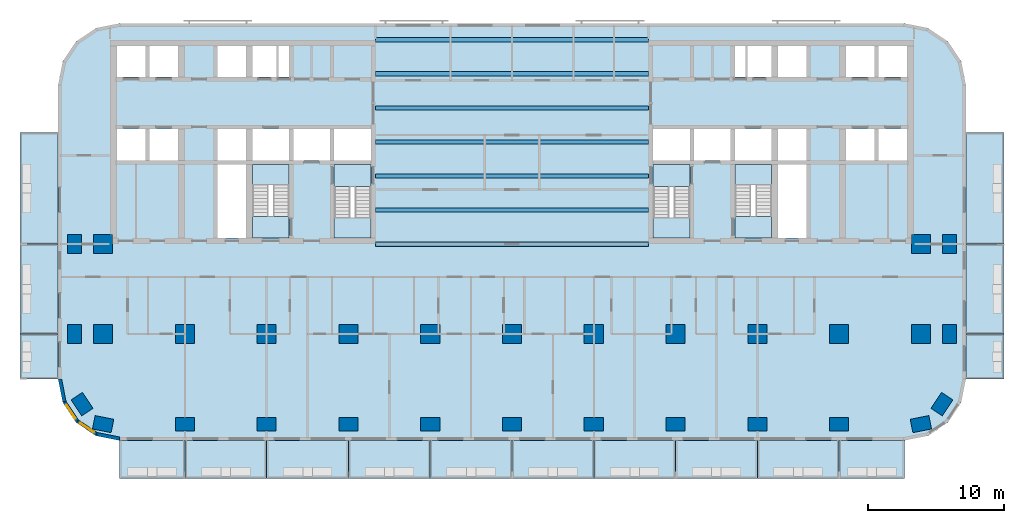
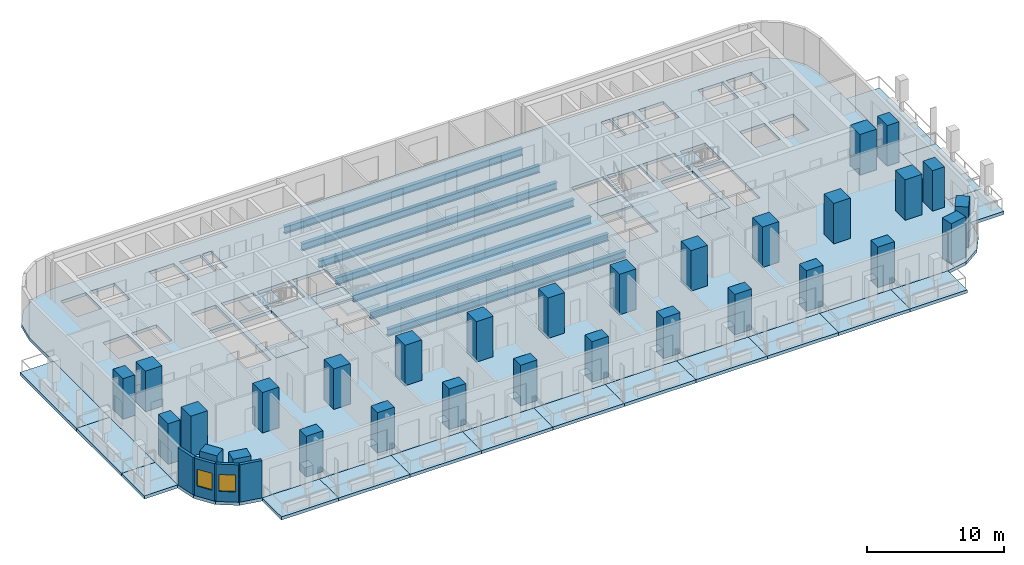
# One storey, part 1 of 13: 30 columns, 25 slabs, 7 beams, 4 walls, 2 windows, 2 openings, 4 elements without a shape of their own.
"""IFC4 building model written with IfcOpenShell, lengths in metres."""

from ifc_helpers import new_model, si_unit, direction, frame, frame_2d, origin, origin_2d, place, context, subcontext, project, spatial, polyline, rectangle, i_section, outline, extrude, material, layer, layer_set, material_profile, profile_set, type_object, element, fill, aggregate, save


model = new_model("IFC4")

# Units and contexts
model_context = context("Model", 3, precision=1e-05, world=origin(), true_north=direction((0.0, 1.0)))
body_context = subcontext(model_context, "Body", "Model", "MODEL_VIEW")
ifc_project = project(units=[si_unit("LENGTHUNIT", "METRE"), si_unit("AREAUNIT", "SQUARE_METRE"), si_unit("VOLUMEUNIT", "CUBIC_METRE"), si_unit("PLANEANGLEUNIT", "RADIAN"), si_unit("MASSUNIT", "GRAM", prefix="KILO")], contexts=[model_context])

# Site, building, storey
site_placement = place(None, origin())
site = spatial("IfcSite", under=ifc_project, at=site_placement, CompositionType="ELEMENT")
building_placement = place(site_placement, origin())
building = spatial("IfcBuilding", under=site, at=building_placement, Name="Torana Hotel and Residences", CompositionType="ELEMENT")
storey_placement = place(building_placement, frame((0.0, 0.0, 78.0)))
storey = spatial("IfcBuildingStorey", under=building, at=storey_placement, Name="L19", CompositionType="ELEMENT", Elevation=78.0)

# Columns
ifc_material_1 = material(Name="Concrete C70/85", Category="concrete")
ifc_material_profile_1 = material_profile(ifc_material_1, rectangle(XDim=1.39990234375, YDim=1.0, at=origin_2d()), Name="RC 1400x1000")
ifc_profile_set_1 = profile_set([ifc_material_profile_1], Name="Concrete C70/85")
column_type_1 = type_object("IfcColumnType", Name="COLUMN RC 1400x1000 C70/85", PredefinedType="COLUMN", material=ifc_profile_set_1)
for number, where, z_axis, x_axis, name in (
    (1, (-32.10009765625, -21.60009765625, 0.0), (0.0, 0.0, 1.0), (0.0, 1.0, 0.0), "Column L19"),
    (2, (-32.10009765625, -15.0, 0.0), (0.0, 0.0, 1.0), (0.0, 1.0, 0.0), "Column L19"),
    (3, (-31.5439453125, -26.73291015625, 0.0), (0.0, 0.0, 1.0), (-0.555584744817, 0.831459915646, 0.0), "Column L19"),
    (4, (-30.0, -28.199951171875, 0.0), (0.0, 0.0, 1.0), (-0.980792089743, 0.195056086032, 0.0), "Column L19"),
    (5, (-24.0, -28.199951171875, 0.0), (0.0, 0.0, 1.0), (1.0, 0.0, 0.0), "Column L19"),
    (6, (-18.0, -28.199951171875, 0.0), (0.0, 0.0, 1.0), (1.0, 0.0, 0.0), "Column L19"),
    (7, (-12.0, -28.199951171875, 0.0), (0.0, 0.0, 1.0), (1.0, 0.0, 0.0), "Column L19"),
    (8, (-6.0, -28.199951171875, 0.0), (0.0, 0.0, 1.0), (1.0, 0.0, 0.0), "Column L19"),
    (9, (0.0, -28.199951171875, 0.0), (0.0, 0.0, 1.0), (1.0, 0.0, 0.0), "Column L19"),
    (10, (6.0, -28.199951171875, 0.0), (0.0, 0.0, 1.0), (1.0, 0.0, 0.0), "Column L19"),
    (11, (12.0, -28.199951171875, 0.0), (0.0, 0.0, 1.0), (1.0, 0.0, 0.0), "Column L19"),
    (12, (18.0, -28.199951171875, 0.0), (0.0, 0.0, 1.0), (1.0, 0.0, 0.0), "Column L19"),
    (13, (24.0, -28.199951171875, 0.0), (0.0, 0.0, 1.0), (1.0, 0.0, 0.0), "Column L19"),
    (14, (30.0, -28.199951171875, 0.0), (0.0, 0.0, 1.0), (0.980792089743, 0.195056086032, 0.0), "Column L19"),
    (15, (31.5439453125, -26.73291015625, 0.0), (0.0, 0.0, 1.0), (0.555584744817, 0.831459915646, 0.0), "Column L19"),
    (16, (32.10009765625, -21.60009765625, 0.0), (0.0, 0.0, 1.0), (0.0, 1.0, 0.0), "Column L19"),
    (17, (32.10009765625, -15.0, 0.0), (0.0, 0.0, 1.0), (0.0, 1.0, 0.0), "Column L19"),
):
    element("IfcColumn", number, at=place(storey_placement, frame(where, z_axis=z_axis, x_axis=x_axis)), inside=storey, type_object=column_type_1, Name=name, PredefinedType="COLUMN", context=body_context, shape_type="SweptSolid", body=[
        extrude(rectangle(XDim=1.39990234375, YDim=1.0, at=origin_2d()), origin(), (0.0, 0.0, 1.0), 3.60009765625),
    ])
ifc_material_2 = material(Name="Concrete C70/85", Category="concrete")
ifc_material_profile_2 = material_profile(ifc_material_2, rectangle(XDim=1.39990234375, YDim=1.39990234375, at=origin_2d()), Name="RC 1400x1400")
ifc_profile_set_2 = profile_set([ifc_material_profile_2], Name="Concrete C70/85")
column_type_2 = type_object("IfcColumnType", Name="COLUMN RC 1400x1400 C70/85", PredefinedType="COLUMN", material=ifc_profile_set_2)
for number, where, z_axis, x_axis, name in (
    (18, (-30.0, -21.60009765625, 0.0), (0.0, 0.0, 1.0), (1.0, 0.0, 0.0), "Column L19"),
    (19, (-30.0, -15.0, 0.0), (0.0, 0.0, 1.0), (1.0, 0.0, 0.0), "Column L19"),
    (20, (-24.0, -21.60009765625, 0.0), (0.0, 0.0, 1.0), (1.0, 0.0, 0.0), "Column L19"),
    (21, (-18.0, -21.60009765625, 0.0), (0.0, 0.0, 1.0), (1.0, 0.0, 0.0), "Column L19"),
    (22, (-12.0, -21.60009765625, 0.0), (0.0, 0.0, 1.0), (1.0, 0.0, 0.0), "Column L19"),
    (23, (-6.0, -21.60009765625, 0.0), (0.0, 0.0, 1.0), (1.0, 0.0, 0.0), "Column L19"),
    (24, (0.0, -21.60009765625, 0.0), (0.0, 0.0, 1.0), (1.0, 0.0, 0.0), "Column L19"),
    (25, (6.0, -21.60009765625, 0.0), (0.0, 0.0, 1.0), (1.0, 0.0, 0.0), "Column L19"),
    (26, (12.0, -21.60009765625, 0.0), (0.0, 0.0, 1.0), (1.0, 0.0, 0.0), "Column L19"),
    (27, (18.0, -21.60009765625, 0.0), (0.0, 0.0, 1.0), (1.0, 0.0, 0.0), "Column L19"),
    (28, (24.0, -21.60009765625, 0.0), (0.0, 0.0, 1.0), (1.0, 0.0, 0.0), "Column L19"),
    (29, (30.0, -21.60009765625, 0.0), (0.0, 0.0, 1.0), (1.0, 0.0, 0.0), "Column L19"),
    (30, (30.0, -15.0, 0.0), (0.0, 0.0, 1.0), (1.0, 0.0, 0.0), "Column L19"),
):
    element("IfcColumn", number, at=place(storey_placement, frame(where, z_axis=z_axis, x_axis=x_axis)), inside=storey, type_object=column_type_2, Name=name, PredefinedType="COLUMN", context=body_context, shape_type="SweptSolid", body=[
        extrude(rectangle(XDim=1.39990234375, YDim=1.39990234375, at=origin_2d()), origin(), (0.0, 0.0, 1.0), 3.60009765625),
    ])

# Beams
ifc_material_3 = material(Name="Steel S355", Category="steel")
ifc_material_profile_3 = material_profile(ifc_material_3, i_section(OverallWidth=0.311279296875, OverallDepth=0.6357421875, WebThickness=0.018310546875, FlangeThickness=0.031494140625, FilletRadius=0.0166015625, at=origin_2d()), Name="610x305x238 UB")
ifc_profile_set_3 = profile_set([ifc_material_profile_3], Name="Steel S355")
beam_type = type_object("IfcBeamType", Name="STEEL GIRDER 610x305x238 UB", PredefinedType="BEAM", material=ifc_profile_set_3)
for number, where, z_axis, x_axis, name in (
    (31, (-10.0, -15.0, -0.597900390625), (1.0, 0.0, 0.0), (0.0, 1.0, 0.0), "Floor girder"),
    (32, (-10.0, -12.5, -0.597900390625), (1.0, 0.0, 0.0), (0.0, 1.0, 0.0), "Floor girder"),
    (33, (-10.0, -10.0, -0.597900390625), (1.0, 0.0, 0.0), (0.0, 1.0, 0.0), "Floor girder"),
    (34, (-10.0, -7.5, -0.597900390625), (1.0, 0.0, 0.0), (0.0, 1.0, 0.0), "Floor girder"),
    (35, (-10.0, -5.0, -0.597900390625), (1.0, 0.0, 0.0), (0.0, 1.0, 0.0), "Floor girder"),
    (36, (-10.0, -2.5, -0.597900390625), (1.0, 0.0, 0.0), (0.0, 1.0, 0.0), "Floor girder"),
    (37, (-10.0, 0.0, -0.597900390625), (1.0, 0.0, 0.0), (0.0, 1.0, 0.0), "Floor girder"),
):
    element("IfcBeam", number, at=place(storey_placement, frame(where, z_axis=z_axis, x_axis=x_axis)), inside=storey, type_object=beam_type, Name=name, PredefinedType="BEAM", context=body_context, shape_type="SweptSolid", body=[
        extrude(i_section(OverallWidth=0.311279296875, OverallDepth=0.6357421875, WebThickness=0.018310546875, FlangeThickness=0.031494140625, FilletRadius=0.0166015625, at=origin_2d()), origin(), (0.0, 0.0, 1.0), 20.0),
    ])

# Slabs
ifc_material_4 = material(Name="Concrete C40/50", Category="concrete")
ifc_layer_1 = layer(ifc_material_4, 0.280029296875)
ifc_layer_set_1 = layer_set([ifc_layer_1], Name="BAL1 BALCONY SLAB 280")
slab_type_1 = type_object("IfcSlabType", Name="BAL1 BALCONY SLAB 280", PredefinedType="USERDEFINED", material=ifc_layer_set_1)
slab_1_placement = place(storey_placement, frame((0.0, 0.0, -0.280029296875)))
element("IfcSlab", 38, at=slab_1_placement, inside=storey, type_object=slab_type_1, Name="Balcony 01", ObjectType="BALCONY", PredefinedType="USERDEFINED", context=body_context, shape_type="SweptSolid", body=[
    extrude(outline(polyline([(-28.800048828125, -32.199951171875), (-24.0, -32.199951171875), (-24.0, -29.39990234375), (-28.800048828125, -29.39990234375), (-28.800048828125, -32.199951171875)])), origin(), (0.0, 0.0, 1.0), 0.280029296875),
])
slab_2_placement = place(storey_placement, frame((0.0, 0.0, -0.280029296875)))
element("IfcSlab", 39, at=slab_2_placement, inside=storey, type_object=slab_type_1, Name="Balcony 02", ObjectType="BALCONY", PredefinedType="USERDEFINED", context=body_context, shape_type="SweptSolid", body=[
    extrude(outline(polyline([(-24.0, -32.199951171875), (-18.0, -32.199951171875), (-18.0, -29.39990234375), (-24.0, -29.39990234375), (-24.0, -32.199951171875)])), origin(), (0.0, 0.0, 1.0), 0.280029296875),
])
slab_3_placement = place(storey_placement, frame((0.0, 0.0, -0.280029296875)))
element("IfcSlab", 40, at=slab_3_placement, inside=storey, type_object=slab_type_1, Name="Balcony 03", ObjectType="BALCONY", PredefinedType="USERDEFINED", context=body_context, shape_type="SweptSolid", body=[
    extrude(outline(polyline([(-18.0, -32.199951171875), (-12.0, -32.199951171875), (-12.0, -29.39990234375), (-18.0, -29.39990234375), (-18.0, -32.199951171875)])), origin(), (0.0, 0.0, 1.0), 0.280029296875),
])
slab_4_placement = place(storey_placement, frame((0.0, 0.0, -0.280029296875)))
element("IfcSlab", 41, at=slab_4_placement, inside=storey, type_object=slab_type_1, Name="Balcony 04", ObjectType="BALCONY", PredefinedType="USERDEFINED", context=body_context, shape_type="SweptSolid", body=[
    extrude(outline(polyline([(-12.0, -32.199951171875), (-6.0, -32.199951171875), (-6.0, -29.39990234375), (-12.0, -29.39990234375), (-12.0, -32.199951171875)])), origin(), (0.0, 0.0, 1.0), 0.280029296875),
])
slab_5_placement = place(storey_placement, frame((0.0, 0.0, -0.280029296875)))
element("IfcSlab", 42, at=slab_5_placement, inside=storey, type_object=slab_type_1, Name="Balcony 05", ObjectType="BALCONY", PredefinedType="USERDEFINED", context=body_context, shape_type="SweptSolid", body=[
    extrude(outline(polyline([(-6.0, -32.199951171875), (0.0, -32.199951171875), (0.0, -29.39990234375), (-6.0, -29.39990234375), (-6.0, -32.199951171875)])), origin(), (0.0, 0.0, 1.0), 0.280029296875),
])
slab_6_placement = place(storey_placement, frame((0.0, 0.0, -0.280029296875)))
element("IfcSlab", 43, at=slab_6_placement, inside=storey, type_object=slab_type_1, Name="Balcony 06", ObjectType="BALCONY", PredefinedType="USERDEFINED", context=body_context, shape_type="SweptSolid", body=[
    extrude(outline(polyline([(0.0, -32.199951171875), (6.0, -32.199951171875), (6.0, -29.39990234375), (0.0, -29.39990234375), (0.0, -32.199951171875)])), origin(), (0.0, 0.0, 1.0), 0.280029296875),
])
slab_7_placement = place(storey_placement, frame((0.0, 0.0, -0.280029296875)))
element("IfcSlab", 44, at=slab_7_placement, inside=storey, type_object=slab_type_1, Name="Balcony 07", ObjectType="BALCONY", PredefinedType="USERDEFINED", context=body_context, shape_type="SweptSolid", body=[
    extrude(outline(polyline([(6.0, -32.199951171875), (12.0, -32.199951171875), (12.0, -29.39990234375), (6.0, -29.39990234375), (6.0, -32.199951171875)])), origin(), (0.0, 0.0, 1.0), 0.280029296875),
])
slab_8_placement = place(storey_placement, frame((0.0, 0.0, -0.280029296875)))
element("IfcSlab", 45, at=slab_8_placement, inside=storey, type_object=slab_type_1, Name="Balcony 08", ObjectType="BALCONY", PredefinedType="USERDEFINED", context=body_context, shape_type="SweptSolid", body=[
    extrude(outline(polyline([(12.0, -32.199951171875), (18.0, -32.199951171875), (18.0, -29.39990234375), (12.0, -29.39990234375), (12.0, -32.199951171875)])), origin(), (0.0, 0.0, 1.0), 0.280029296875),
])
slab_9_placement = place(storey_placement, frame((0.0, 0.0, -0.280029296875)))
element("IfcSlab", 46, at=slab_9_placement, inside=storey, type_object=slab_type_1, Name="Balcony 09", ObjectType="BALCONY", PredefinedType="USERDEFINED", context=body_context, shape_type="SweptSolid", body=[
    extrude(outline(polyline([(18.0, -32.199951171875), (24.0, -32.199951171875), (24.0, -29.39990234375), (18.0, -29.39990234375), (18.0, -32.199951171875)])), origin(), (0.0, 0.0, 1.0), 0.280029296875),
])
slab_10_placement = place(storey_placement, frame((0.0, 0.0, -0.280029296875)))
element("IfcSlab", 47, at=slab_10_placement, inside=storey, type_object=slab_type_1, Name="Balcony 10", ObjectType="BALCONY", PredefinedType="USERDEFINED", context=body_context, shape_type="SweptSolid", body=[
    extrude(outline(polyline([(24.0, -32.199951171875), (28.800048828125, -32.199951171875), (28.800048828125, -29.39990234375), (24.0, -29.39990234375), (24.0, -32.199951171875)])), origin(), (0.0, 0.0, 1.0), 0.280029296875),
])
slab_11_placement = place(storey_placement, frame((0.0, 0.0, -0.280029296875)))
element("IfcSlab", 48, at=slab_11_placement, inside=storey, type_object=slab_type_1, Name="Balcony 11", ObjectType="BALCONY", PredefinedType="USERDEFINED", context=body_context, shape_type="SweptSolid", body=[
    extrude(outline(polyline([(-36.10009765625, -24.89990234375), (-33.300048828125, -24.89990234375), (-33.300048828125, -21.60009765625), (-36.10009765625, -21.60009765625), (-36.10009765625, -24.89990234375)])), origin(), (0.0, 0.0, 1.0), 0.280029296875),
])
slab_12_placement = place(storey_placement, frame((0.0, 0.0, -0.280029296875)))
element("IfcSlab", 49, at=slab_12_placement, inside=storey, type_object=slab_type_1, Name="Balcony 12", ObjectType="BALCONY", PredefinedType="USERDEFINED", context=body_context, shape_type="SweptSolid", body=[
    extrude(outline(polyline([(-36.10009765625, -21.60009765625), (-33.300048828125, -21.60009765625), (-33.300048828125, -15.0), (-36.10009765625, -15.0), (-36.10009765625, -21.60009765625)])), origin(), (0.0, 0.0, 1.0), 0.280029296875),
])
slab_13_placement = place(storey_placement, frame((0.0, 0.0, -0.280029296875)))
element("IfcSlab", 50, at=slab_13_placement, inside=storey, type_object=slab_type_1, Name="Balcony 13", ObjectType="BALCONY", PredefinedType="USERDEFINED", context=body_context, shape_type="SweptSolid", body=[
    extrude(outline(polyline([(-36.10009765625, -15.0), (-33.300048828125, -15.0), (-33.300048828125, -6.800048828125), (-36.10009765625, -6.800048828125), (-36.10009765625, -15.0)])), origin(), (0.0, 0.0, 1.0), 0.280029296875),
])
slab_14_placement = place(storey_placement, frame((0.0, 0.0, -0.280029296875)))
element("IfcSlab", 51, at=slab_14_placement, inside=storey, type_object=slab_type_1, Name="Balcony 14", ObjectType="BALCONY", PredefinedType="USERDEFINED", context=body_context, shape_type="SweptSolid", body=[
    extrude(outline(polyline([(33.300048828125, -24.89990234375), (36.10009765625, -24.89990234375), (36.10009765625, -21.60009765625), (33.300048828125, -21.60009765625), (33.300048828125, -24.89990234375)])), origin(), (0.0, 0.0, 1.0), 0.280029296875),
])
slab_15_placement = place(storey_placement, frame((0.0, 0.0, -0.280029296875)))
element("IfcSlab", 52, at=slab_15_placement, inside=storey, type_object=slab_type_1, Name="Balcony 15", ObjectType="BALCONY", PredefinedType="USERDEFINED", context=body_context, shape_type="SweptSolid", body=[
    extrude(outline(polyline([(33.300048828125, -21.60009765625), (36.10009765625, -21.60009765625), (36.10009765625, -15.0), (33.300048828125, -15.0), (33.300048828125, -21.60009765625)])), origin(), (0.0, 0.0, 1.0), 0.280029296875),
])
slab_16_placement = place(storey_placement, frame((0.0, 0.0, -0.280029296875)))
element("IfcSlab", 53, at=slab_16_placement, inside=storey, type_object=slab_type_1, Name="Balcony 16", ObjectType="BALCONY", PredefinedType="USERDEFINED", context=body_context, shape_type="SweptSolid", body=[
    extrude(outline(polyline([(33.300048828125, -15.0), (36.10009765625, -15.0), (36.10009765625, -6.800048828125), (33.300048828125, -6.800048828125), (33.300048828125, -15.0)])), origin(), (0.0, 0.0, 1.0), 0.280029296875),
])
ifc_material_5 = material(Name="Concrete C40/50", Category="concrete")
ifc_layer_2 = layer(ifc_material_5, 0.280029296875)
ifc_layer_set_2 = layer_set([ifc_layer_2], Name="FLOOR SLAB PT 280")
slab_type_2 = type_object("IfcSlabType", Name="FLOOR SLAB PT 280", PredefinedType="FLOOR", material=ifc_layer_set_2)
slab_17_placement = place(storey_placement, frame((0.0, 0.0, -0.280029296875)))
element("IfcSlab", 54, at=slab_17_placement, inside=storey, type_object=slab_type_2, Name="Floor slab", PredefinedType="FLOOR", context=body_context, shape_type="SweptSolid", body=[
    extrude(outline(polyline([(33.300048828125, -3.300048828125), (32.95751953125, -1.577880859375), (31.98193359375, -0.117919921875), (30.522216796875, 0.857421875), (28.800048828125, 1.199951171875), (-28.800048828125, 1.199951171875), (-30.522216796875, 0.857421875), (-31.98193359375, -0.117919921875), (-32.95751953125, -1.577880859375), (-33.300048828125, -3.300048828125), (-33.300048828125, -24.89990234375), (-32.95751953125, -26.6220703125), (-31.98193359375, -28.08203125), (-30.522216796875, -29.0576171875), (-28.800048828125, -29.39990234375), (28.800048828125, -29.39990234375), (30.522216796875, -29.0576171875), (31.98193359375, -28.08203125), (32.95751953125, -26.6220703125), (33.300048828125, -24.89990234375), (33.300048828125, -3.300048828125)]), holes=[polyline([(-13.050048828125, -14.550048828125), (-10.35009765625, -14.550048828125), (-10.35009765625, -9.14990234375), (-13.050048828125, -9.14990234375), (-13.050048828125, -14.550048828125)]), polyline([(-19.050048828125, -14.550048828125), (-16.35009765625, -14.550048828125), (-16.35009765625, -9.14990234375), (-19.050048828125, -9.14990234375), (-19.050048828125, -14.550048828125)]), polyline([(-17.125, -2.75), (-16.35009765625, -2.75), (-16.35009765625, -0.449951171875), (-17.125, -0.449951171875), (-17.125, -2.75)]), polyline([(-19.050048828125, -2.75), (-17.27490234375, -2.75), (-17.27490234375, -0.449951171875), (-19.050048828125, -0.449951171875), (-19.050048828125, -2.75)]), polyline([(-26.60009765625, -2.75), (-24.5, -2.75), (-24.5, -0.449951171875), (-26.60009765625, -0.449951171875), (-26.60009765625, -2.75)]), polyline([(-29.0, -2.75), (-26.89990234375, -2.75), (-26.89990234375, -0.449951171875), (-29.0, -0.449951171875), (-29.0, -2.75)]), polyline([(-26.60009765625, -8.85009765625), (-24.5, -8.85009765625), (-24.5, -6.550048828125), (-26.60009765625, -6.550048828125), (-26.60009765625, -8.85009765625)]), polyline([(-29.0, -8.85009765625), (-26.89990234375, -8.85009765625), (-26.89990234375, -6.550048828125), (-29.0, -6.550048828125), (-29.0, -8.85009765625)]), polyline([(-21.60009765625, -2.75), (-19.5, -2.75), (-19.5, -0.449951171875), (-21.60009765625, -0.449951171875), (-21.60009765625, -2.75)]), polyline([(-21.60009765625, -8.85009765625), (-19.5, -8.85009765625), (-19.5, -6.550048828125), (-21.60009765625, -6.550048828125), (-21.60009765625, -8.85009765625)]), polyline([(-13.050048828125, -8.85009765625), (-10.35009765625, -8.85009765625), (-10.35009765625, -6.550048828125), (-13.050048828125, -6.550048828125), (-13.050048828125, -8.85009765625)]), polyline([(-16.050048828125, -8.85009765625), (-13.35009765625, -8.85009765625), (-13.35009765625, -6.550048828125), (-16.050048828125, -6.550048828125), (-16.050048828125, -8.85009765625)]), polyline([(-19.050048828125, -8.85009765625), (-16.35009765625, -8.85009765625), (-16.35009765625, -6.550048828125), (-19.050048828125, -6.550048828125), (-19.050048828125, -8.85009765625)]), polyline([(-21.60009765625, -14.550048828125), (-19.5, -14.550048828125), (-19.5, -9.14990234375), (-21.60009765625, -9.14990234375), (-21.60009765625, -14.550048828125)]), polyline([(10.35009765625, -14.550048828125), (13.050048828125, -14.550048828125), (13.050048828125, -9.14990234375), (10.35009765625, -9.14990234375), (10.35009765625, -14.550048828125)]), polyline([(16.35009765625, -14.550048828125), (19.050048828125, -14.550048828125), (19.050048828125, -9.14990234375), (16.35009765625, -9.14990234375), (16.35009765625, -14.550048828125)]), polyline([(16.35009765625, -2.75), (17.125, -2.75), (17.125, -0.449951171875), (16.35009765625, -0.449951171875), (16.35009765625, -2.75)]), polyline([(17.27490234375, -2.75), (19.050048828125, -2.75), (19.050048828125, -0.449951171875), (17.27490234375, -0.449951171875), (17.27490234375, -2.75)]), polyline([(24.5, -2.75), (26.60009765625, -2.75), (26.60009765625, -0.449951171875), (24.5, -0.449951171875), (24.5, -2.75)]), polyline([(26.89990234375, -2.75), (29.0, -2.75), (29.0, -0.449951171875), (26.89990234375, -0.449951171875), (26.89990234375, -2.75)]), polyline([(24.5, -8.85009765625), (26.60009765625, -8.85009765625), (26.60009765625, -6.550048828125), (24.5, -6.550048828125), (24.5, -8.85009765625)]), polyline([(26.89990234375, -8.85009765625), (29.0, -8.85009765625), (29.0, -6.550048828125), (26.89990234375, -6.550048828125), (26.89990234375, -8.85009765625)]), polyline([(19.5, -2.75), (21.60009765625, -2.75), (21.60009765625, -0.449951171875), (19.5, -0.449951171875), (19.5, -2.75)]), polyline([(19.5, -8.85009765625), (21.60009765625, -8.85009765625), (21.60009765625, -6.550048828125), (19.5, -6.550048828125), (19.5, -8.85009765625)]), polyline([(10.35009765625, -8.85009765625), (13.050048828125, -8.85009765625), (13.050048828125, -6.550048828125), (10.35009765625, -6.550048828125), (10.35009765625, -8.85009765625)]), polyline([(13.35009765625, -8.85009765625), (16.050048828125, -8.85009765625), (16.050048828125, -6.550048828125), (13.35009765625, -6.550048828125), (13.35009765625, -8.85009765625)]), polyline([(16.35009765625, -8.85009765625), (19.050048828125, -8.85009765625), (19.050048828125, -6.550048828125), (16.35009765625, -6.550048828125), (16.35009765625, -8.85009765625)]), polyline([(19.5, -14.550048828125), (21.60009765625, -14.550048828125), (21.60009765625, -9.14990234375), (19.5, -9.14990234375), (19.5, -14.550048828125)])]), origin(), (0.0, 0.0, 1.0), 0.280029296875),
])

# Stair, slabs
ifc_material_6 = material(Name="Concrete C40/50 precast", Category="concrete")
stair_type_1 = type_object("IfcStairType", Name="STAIR ST1 HALF TURN 1200", PredefinedType="HALF_TURN_STAIR", material=ifc_material_6)
stair_1_placement = place(storey_placement, origin())
stair_1 = element("IfcStair", 55, at=stair_1_placement, inside=storey, type_object=stair_type_1, Name="Stair ST1 L19", PredefinedType="HALF_TURN_STAIR")
ifc_material_7 = material(Name="Concrete C40/50 precast", Category="concrete")
ifc_layer_3 = layer(ifc_material_7, 0.199951171875)
ifc_layer_set_3 = layer_set([ifc_layer_3], Name="STAIR LANDING 200")
slab_type_3 = type_object("IfcSlabType", Name="STAIR LANDING 200", PredefinedType="LANDING", material=ifc_layer_set_3)
slab_18_placement = place(storey_placement, frame((0.0, 0.0, 1.60009765625)))
slab_18 = element("IfcSlab", 56, at=slab_18_placement, type_object=slab_type_3, Name="ST1 landing 1", PredefinedType="LANDING", context=body_context, shape_type="SweptSolid", body=[
    extrude(outline(polyline([(-13.050048828125, -14.550048828125), (-10.35009765625, -14.550048828125), (-10.35009765625, -13.090087890625), (-13.050048828125, -13.090087890625), (-13.050048828125, -14.550048828125)])), origin(), (0.0, 0.0, 1.0), 0.199951171875),
])
slab_19_placement = place(storey_placement, frame((0.0, 0.0, -0.199951171875)))
slab_19 = element("IfcSlab", 57, at=slab_19_placement, type_object=slab_type_3, Name="ST1 landing 2", PredefinedType="LANDING", context=body_context, shape_type="SweptSolid", body=[
    extrude(outline(polyline([(-13.050048828125, -10.75), (-10.35009765625, -10.75), (-10.35009765625, -9.14990234375), (-13.050048828125, -9.14990234375), (-13.050048828125, -10.75)])), origin(), (0.0, 0.0, 1.0), 0.199951171875),
])
aggregate(stair_1, [slab_18, slab_19])

ifc_material_8 = material(Name="Concrete C40/50 precast", Category="concrete")
stair_type_2 = type_object("IfcStairType", Name="STAIR ST2 HALF TURN 1200", PredefinedType="HALF_TURN_STAIR", material=ifc_material_8)
stair_2_placement = place(storey_placement, origin())
stair_2 = element("IfcStair", 58, at=stair_2_placement, inside=storey, type_object=stair_type_2, Name="Stair ST2 L19", PredefinedType="HALF_TURN_STAIR")
slab_20_placement = place(storey_placement, frame((0.0, 0.0, 1.60009765625)))
slab_20 = element("IfcSlab", 59, at=slab_20_placement, type_object=slab_type_3, Name="ST2 landing 1", PredefinedType="LANDING", context=body_context, shape_type="SweptSolid", body=[
    extrude(outline(polyline([(-19.050048828125, -10.610107421875), (-16.35009765625, -10.610107421875), (-16.35009765625, -9.14990234375), (-19.050048828125, -9.14990234375), (-19.050048828125, -10.610107421875)])), origin(), (0.0, 0.0, 1.0), 0.199951171875),
])
slab_21_placement = place(storey_placement, frame((0.0, 0.0, -0.199951171875)))
slab_21 = element("IfcSlab", 60, at=slab_21_placement, type_object=slab_type_3, Name="ST2 landing 2", PredefinedType="LANDING", context=body_context, shape_type="SweptSolid", body=[
    extrude(outline(polyline([(-19.050048828125, -14.550048828125), (-16.35009765625, -14.550048828125), (-16.35009765625, -12.949951171875), (-19.050048828125, -12.949951171875), (-19.050048828125, -14.550048828125)])), origin(), (0.0, 0.0, 1.0), 0.199951171875),
])
aggregate(stair_2, [slab_20, slab_21])

ifc_material_9 = material(Name="Concrete C40/50 precast", Category="concrete")
stair_type_3 = type_object("IfcStairType", Name="STAIR ST3 HALF TURN 1200", PredefinedType="HALF_TURN_STAIR", material=ifc_material_9)
stair_3_placement = place(storey_placement, origin())
stair_3 = element("IfcStair", 61, at=stair_3_placement, inside=storey, type_object=stair_type_3, Name="Stair ST3 L19", PredefinedType="HALF_TURN_STAIR")
slab_22_placement = place(storey_placement, frame((0.0, 0.0, 1.60009765625)))
slab_22 = element("IfcSlab", 62, at=slab_22_placement, type_object=slab_type_3, Name="ST3 landing 1", PredefinedType="LANDING", context=body_context, shape_type="SweptSolid", body=[
    extrude(outline(polyline([(10.35009765625, -14.550048828125), (13.050048828125, -14.550048828125), (13.050048828125, -13.090087890625), (10.35009765625, -13.090087890625), (10.35009765625, -14.550048828125)])), origin(), (0.0, 0.0, 1.0), 0.199951171875),
])
slab_23_placement = place(storey_placement, frame((0.0, 0.0, -0.199951171875)))
slab_23 = element("IfcSlab", 63, at=slab_23_placement, type_object=slab_type_3, Name="ST3 landing 2", PredefinedType="LANDING", context=body_context, shape_type="SweptSolid", body=[
    extrude(outline(polyline([(10.35009765625, -10.75), (13.050048828125, -10.75), (13.050048828125, -9.14990234375), (10.35009765625, -9.14990234375), (10.35009765625, -10.75)])), origin(), (0.0, 0.0, 1.0), 0.199951171875),
])
aggregate(stair_3, [slab_22, slab_23])

ifc_material_10 = material(Name="Concrete C40/50 precast", Category="concrete")
stair_type_4 = type_object("IfcStairType", Name="STAIR ST4 HALF TURN 1200", PredefinedType="HALF_TURN_STAIR", material=ifc_material_10)
stair_4_placement = place(storey_placement, origin())
stair_4 = element("IfcStair", 64, at=stair_4_placement, inside=storey, type_object=stair_type_4, Name="Stair ST4 L19", PredefinedType="HALF_TURN_STAIR")
slab_24_placement = place(storey_placement, frame((0.0, 0.0, 1.60009765625)))
slab_24 = element("IfcSlab", 65, at=slab_24_placement, type_object=slab_type_3, Name="ST4 landing 1", PredefinedType="LANDING", context=body_context, shape_type="SweptSolid", body=[
    extrude(outline(polyline([(16.35009765625, -10.610107421875), (19.050048828125, -10.610107421875), (19.050048828125, -9.14990234375), (16.35009765625, -9.14990234375), (16.35009765625, -10.610107421875)])), origin(), (0.0, 0.0, 1.0), 0.199951171875),
])
slab_25_placement = place(storey_placement, frame((0.0, 0.0, -0.199951171875)))
slab_25 = element("IfcSlab", 66, at=slab_25_placement, type_object=slab_type_3, Name="ST4 landing 2", PredefinedType="LANDING", context=body_context, shape_type="SweptSolid", body=[
    extrude(outline(polyline([(16.35009765625, -14.550048828125), (19.050048828125, -14.550048828125), (19.050048828125, -12.949951171875), (16.35009765625, -12.949951171875), (16.35009765625, -14.550048828125)])), origin(), (0.0, 0.0, 1.0), 0.199951171875),
])
aggregate(stair_4, [slab_24, slab_25])

# Wall
ifc_material_11 = material(Name="Black aluminium composite panel", Category="aluminium")
ifc_layer_4 = layer(ifc_material_11, 0.00390625, Name="Cladding", Category="cladding")
ifc_material_12 = material(Name="Ventilated air cavity")
ifc_layer_5 = layer(ifc_material_12, 0.0400390625, Name="Ventilated cavity", Category="cavity")
ifc_material_13 = material(Name="Mineral wool insulation")
ifc_layer_6 = layer(ifc_material_13, 0.090087890625, Name="Insulation", Category="insulation")
ifc_material_14 = material(Name="Steel S280GD", Category="steel")
ifc_layer_7 = layer(ifc_material_14, 0.092041015625, Name="Steel stud frame", Category="structure")
ifc_material_15 = material(Name="Fire rated plasterboard")
ifc_layer_8 = layer(ifc_material_15, 0.011962890625, Name="Inner board", Category="finish")
ifc_layer_9 = layer(ifc_material_15, 0.011962890625, Name="Second board", Category="finish")
ifc_layer_set_4 = layer_set([ifc_layer_4, ifc_layer_5, ifc_layer_6, ifc_layer_7, ifc_layer_8, ifc_layer_9], Name="EW1 EXTERNAL WALL BLACK METAL CLAD 250")
wall_type = type_object("IfcWallType", Name="EW1 EXTERNAL WALL BLACK METAL CLAD 250", PredefinedType="SOLIDWALL", material=ifc_layer_set_4)
wall_1_placement = place(storey_placement, frame((-33.172607421875, -24.89990234375, 0.0), z_axis=(0.0, 0.0, 1.0), x_axis=(0.195166572128, -0.980770110232, 0.0)))
element("IfcWall", 67, at=wall_1_placement, inside=storey, type_object=wall_type, Name="External wall L19 e0.10", PredefinedType="SOLIDWALL", context=body_context, shape_type="SweptSolid", body=[
    extrude(rectangle(XDim=1.68115234375, YDim=0.25, at=frame_2d((0.840576171875, 0.0))), origin(), (0.0, 0.0, 1.0), 3.320068359375),
])

# Wall, opening, window
wall_2_placement = place(storey_placement, frame((-32.825927734375, -26.593994140625, 0.0), z_axis=(0.0, 0.0, 1.0), x_axis=(0.55555029066, -0.831482937015, 0.0)))
wall_2 = element("IfcWall", 68, at=wall_2_placement, inside=storey, type_object=wall_type, Name="External wall L19 e0.11", PredefinedType="SOLIDWALL", context=body_context, shape_type="SweptSolid", body=[
    extrude(rectangle(XDim=1.65625, YDim=0.25, at=frame_2d((0.828125, 0.0))), origin(), (0.0, 0.0, 1.0), 3.320068359375),
])
opening_1_placement = place(wall_2_placement, frame((0.228271484375, 0.0, 0.89990234375)))
opening_1 = element("IfcOpeningElement", 69, at=opening_1_placement, cuts=wall_2, Name="Opening W5", PredefinedType="OPENING", context=body_context, shape_type="SweptSolid", body=[
    extrude(rectangle(XDim=1.199951171875, YDim=1.5, at=frame_2d((0.60009765625, 0.75))), frame((0.0, 0.135009765625, 0.0), z_axis=(0.0, -1.0, 0.0), x_axis=(1.0, 0.0, 0.0)), (0.0, 0.0, 1.0), 0.27001953125),
])
ifc_material_16 = material(Name="Dark glass in black aluminium frame", Category="aluminium")
window_type = type_object("IfcWindowType", Name="W5 CORNER FACET WINDOW 1200x1500", PartitioningType="SINGLE_PANEL", PredefinedType="WINDOW", material=ifc_material_16)
window_1_placement = place(opening_1_placement, origin())
window_1 = element("IfcWindow", 70, at=window_1_placement, inside=storey, type_object=window_type, Name="Window L19 e0.11", OverallHeight=1.5, OverallWidth=1.199951171875, PartitioningType="SINGLE_PANEL", PredefinedType="WINDOW", context=body_context, shape_type="SweptSolid", body=[
    extrude(rectangle(XDim=1.199951171875, YDim=1.5, at=frame_2d((0.60009765625, 0.75))), frame((0.0, 0.030029296875, 0.0), z_axis=(0.0, -1.0, 0.0), x_axis=(1.0, 0.0, 0.0)), (0.0, 0.0, 1.0), 0.06005859375),
])
fill(opening_1, window_1)

wall_3_placement = place(storey_placement, frame((-31.87109375, -28.005615234375, 0.0), z_axis=(0.0, 0.0, 1.0), x_axis=(0.831482937015, -0.55555029066, 0.0)))
wall_3 = element("IfcWall", 71, at=wall_3_placement, inside=storey, type_object=wall_type, Name="External wall L19 e0.12", PredefinedType="SOLIDWALL", context=body_context, shape_type="SweptSolid", body=[
    extrude(rectangle(XDim=1.65625, YDim=0.25, at=frame_2d((0.828125, 0.0))), origin(), (0.0, 0.0, 1.0), 3.320068359375),
])
opening_2_placement = place(wall_3_placement, frame((0.228271484375, 0.0, 0.89990234375)))
opening_2 = element("IfcOpeningElement", 72, at=opening_2_placement, cuts=wall_3, Name="Opening W5", PredefinedType="OPENING", context=body_context, shape_type="SweptSolid", body=[
    extrude(rectangle(XDim=1.199951171875, YDim=1.5, at=frame_2d((0.60009765625, 0.75))), frame((0.0, 0.135009765625, 0.0), z_axis=(0.0, -1.0, 0.0), x_axis=(1.0, 0.0, 0.0)), (0.0, 0.0, 1.0), 0.27001953125),
])
window_2_placement = place(opening_2_placement, origin())
window_2 = element("IfcWindow", 73, at=window_2_placement, inside=storey, type_object=window_type, Name="Window L19 e0.12", OverallHeight=1.5, OverallWidth=1.199951171875, PartitioningType="SINGLE_PANEL", PredefinedType="WINDOW", context=body_context, shape_type="SweptSolid", body=[
    extrude(rectangle(XDim=1.199951171875, YDim=1.5, at=frame_2d((0.60009765625, 0.75))), frame((0.0, 0.030029296875, 0.0), z_axis=(0.0, -1.0, 0.0), x_axis=(1.0, 0.0, 0.0)), (0.0, 0.0, 1.0), 0.06005859375),
])
fill(opening_2, window_2)

# Wall
wall_4_placement = place(storey_placement, frame((-30.448974609375, -28.944580078125, 0.0), z_axis=(0.0, 0.0, 1.0), x_axis=(0.980775640221, -0.19513878023, 0.0)))
element("IfcWall", 74, at=wall_4_placement, inside=storey, type_object=wall_type, Name="External wall L19 e0.13", PredefinedType="SOLIDWALL", context=body_context, shape_type="SweptSolid", body=[
    extrude(rectangle(XDim=1.681396484375, YDim=0.25, at=frame_2d((0.8408203125, 0.0))), origin(), (0.0, 0.0, 1.0), 3.320068359375),
])

save(model, "model.ifc")
